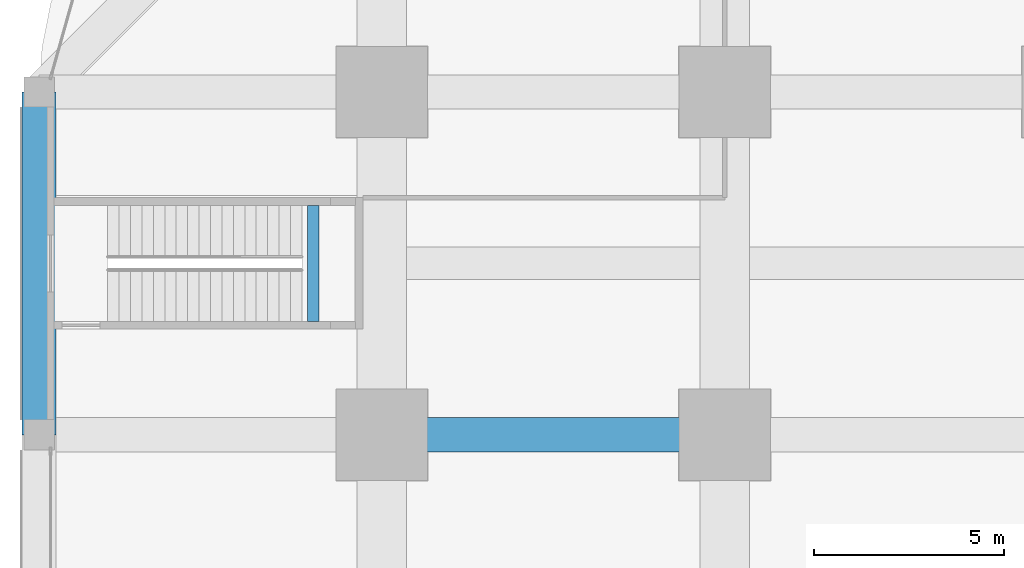
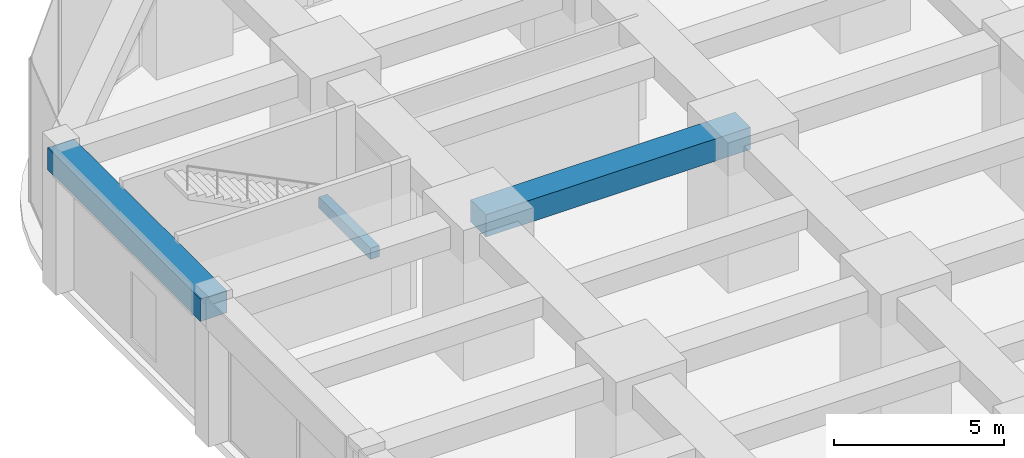
# One storey, part 19 of 45: 3 beams.
"""IFC4 building model written with IfcOpenShell, lengths in metres."""

from ifc_helpers import new_model, si_unit, direction, frame, origin, origin_2d, place, context, subcontext, project, spatial, rectangle, extrude, material, material_profile, profile_set, type_object, element, save


model = new_model("IFC4")

# Units and contexts
model_context = context("Model", 3, precision=1e-05, world=origin(), true_north=direction((0.0, 1.0)))
body_context = subcontext(model_context, "Body", "Model", "MODEL_VIEW")
ifc_project = project(units=[si_unit("LENGTHUNIT", "METRE"), si_unit("AREAUNIT", "SQUARE_METRE"), si_unit("VOLUMEUNIT", "CUBIC_METRE"), si_unit("PLANEANGLEUNIT", "RADIAN"), si_unit("MASSUNIT", "GRAM", prefix="KILO")], contexts=[model_context])

# Site, building, storey
site_placement = place(None, origin())
site = spatial("IfcSite", under=ifc_project, at=site_placement, CompositionType="ELEMENT")
building_placement = place(site_placement, origin())
building = spatial("IfcBuilding", under=site, at=building_placement, Name="Zorevar Civic Tower", CompositionType="ELEMENT")
storey_placement = place(building_placement, frame((0.0, 0.0, 5.39990234375)))
storey = spatial("IfcBuildingStorey", under=building, at=storey_placement, Name="L01", CompositionType="ELEMENT", Elevation=5.39990234375)

# Beams
ifc_material_1 = material(Name="Concrete C50/60", Category="concrete")
ifc_material_profile_1 = material_profile(ifc_material_1, rectangle(XDim=0.89990234375, YDim=0.800048828125, at=origin_2d()), Name="RC 900x800")
ifc_profile_set_1 = profile_set([ifc_material_profile_1], Name="Concrete C50/60")
beam_type_1 = type_object("IfcBeamType", Name="Beam RC 900x800", PredefinedType="BEAM", material=ifc_profile_set_1)
beam_1_placement = place(storey_placement, frame((0.0, 36.0, 4.7001953125), z_axis=(1.0, 0.0, 0.0), x_axis=(0.0, 1.0, 0.0)))
element("IfcBeam", 1, at=beam_1_placement, inside=storey, type_object=beam_type_1, Name="Girder L02", PredefinedType="BEAM", context=body_context, shape_type="SweptSolid", body=[
    extrude(rectangle(XDim=0.89990234375, YDim=0.800048828125, at=origin_2d()), origin(), (0.0, 0.0, 1.0), 9.0),
])
ifc_material_2 = material(Name="Concrete C50/60", Category="concrete")
ifc_material_profile_2 = material_profile(ifc_material_2, rectangle(XDim=0.89990234375, YDim=0.800048828125, at=origin_2d()), Name="RC 900x800")
ifc_profile_set_2 = profile_set([ifc_material_profile_2], Name="Concrete C50/60")
beam_type_2 = type_object("IfcBeamType", Name="Edge beam RC 900x800", PredefinedType="SPANDREL", material=ifc_profile_set_2)
beam_2_placement = place(storey_placement, frame((-9.0, 36.0, 4.7001953125), z_axis=(0.0, 1.0, 0.0), x_axis=(-1.0, 0.0, 0.0)))
element("IfcBeam", 2, at=beam_2_placement, inside=storey, type_object=beam_type_2, Name="Edge beam L02", PredefinedType="SPANDREL", context=body_context, shape_type="SweptSolid", body=[
    extrude(rectangle(XDim=0.89990234375, YDim=0.800048828125, at=origin_2d()), origin(), (0.0, 0.0, 1.0), 9.0),
])
ifc_material_3 = material(Name="Concrete C30/37", Category="concrete")
ifc_material_profile_3 = material_profile(ifc_material_3, rectangle(XDim=0.300048828125, YDim=0.39990234375, at=origin_2d()), Name="RC 300x400")
ifc_profile_set_3 = profile_set([ifc_material_profile_3], Name="Concrete C30/37")
beam_type_3 = type_object("IfcBeamType", Name="Landing beam RC 300x400", PredefinedType="BEAM", material=ifc_profile_set_3)
beam_3_placement = place(storey_placement, frame((-1.800048828125, 38.97509765625, 2.300048828125), z_axis=(0.0, 1.0, 0.0), x_axis=(-1.0, 0.0, 0.0)))
element("IfcBeam", 3, at=beam_3_placement, inside=storey, type_object=beam_type_3, Name="Landing beam PS1 L01", PredefinedType="BEAM", context=body_context, shape_type="SweptSolid", body=[
    extrude(rectangle(XDim=0.300048828125, YDim=0.39990234375, at=origin_2d()), origin(), (0.0, 0.0, 1.0), 3.0498046875),
])

save(model, "model.ifc")
